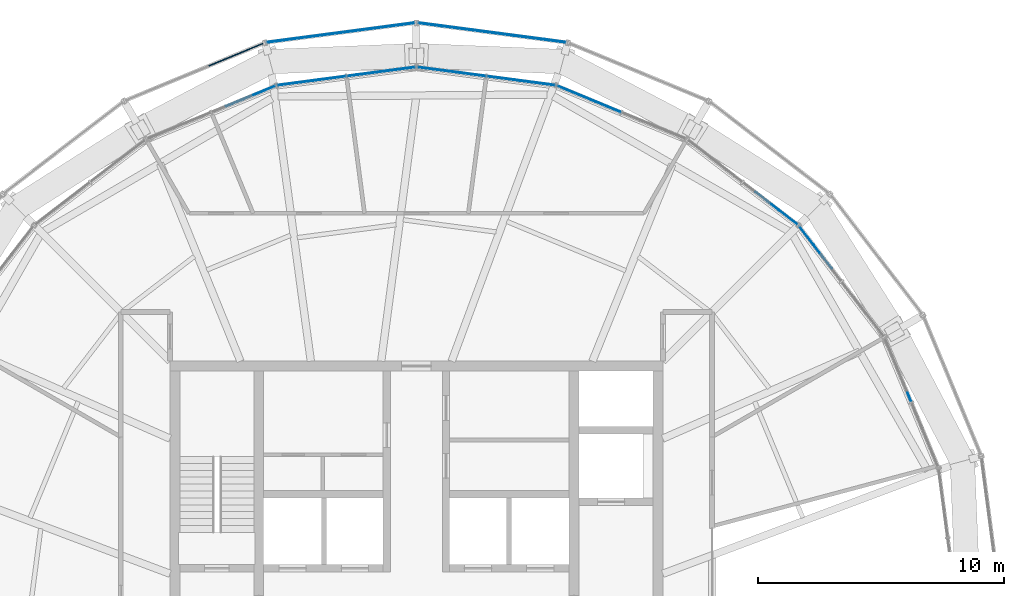
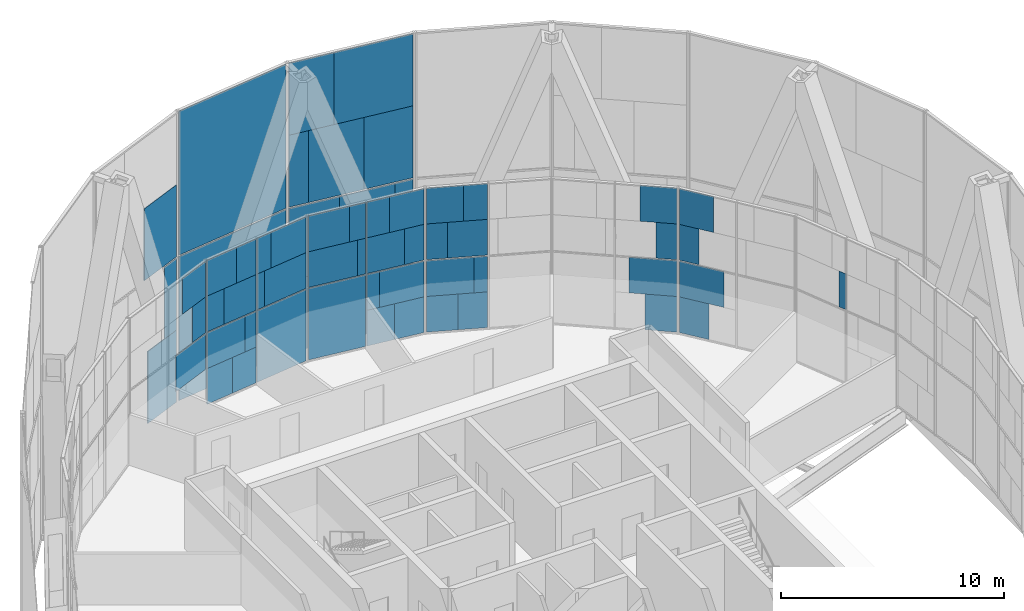
# One storey, part 17 of 22: 61 plates, 10 elements without a shape of their own.
"""IFC4 building model written with IfcOpenShell, lengths in metres."""

from ifc_helpers import new_model, si_unit, direction, frame, origin, origin_2d, place, context, subcontext, project, spatial, rectangle, extrude, material, layer, layer_set, type_object, element, aggregate, save


model = new_model("IFC4")

# Units and contexts
model_context = context("Model", 3, precision=1e-05, world=origin(), true_north=direction((0.0, 1.0)))
body_context = subcontext(model_context, "Body", "Model", "MODEL_VIEW")
ifc_project = project(units=[si_unit("LENGTHUNIT", "METRE"), si_unit("AREAUNIT", "SQUARE_METRE"), si_unit("VOLUMEUNIT", "CUBIC_METRE"), si_unit("PLANEANGLEUNIT", "RADIAN"), si_unit("MASSUNIT", "GRAM", prefix="KILO")], contexts=[model_context])

# Site, building, storey
site_placement = place(None, origin())
site = spatial("IfcSite", under=ifc_project, at=site_placement, CompositionType="ELEMENT")
building_placement = place(site_placement, origin())
building = spatial("IfcBuilding", under=site, at=building_placement, Name="Golbaran Civic Tower", CompositionType="ELEMENT")
storey_placement = place(building_placement, frame((0.0, 0.0, 264.0)))
storey = spatial("IfcBuildingStorey", under=building, at=storey_placement, Name="L64", CompositionType="ELEMENT", Elevation=264.0)

# Curtain wall, plates
ifc_material_1 = material(Name="Aluminium and glass", Category="aluminium")
curtain_wall_type_1 = type_object("IfcCurtainWallType", Name="INNER SKIN CURTAIN WALL EXECUTIVE", PredefinedType="NOTDEFINED", material=ifc_material_1)
curtain_wall_1_placement = place(storey_placement, origin())
curtain_wall_1 = element("IfcCurtainWall", 1, at=curtain_wall_1_placement, inside=storey, type_object=curtain_wall_type_1, Name="Inner skin L64 facet 3 CW2", ObjectType="INNER SKIN", PredefinedType="USERDEFINED")
ifc_material_2 = material(Name="Clear insulating glass", Category="glass")
ifc_layer_1 = layer(ifc_material_2, 0.031982421875, Name="Clear insulating glass")
ifc_layer_set_1 = layer_set([ifc_layer_1], Name="Clear insulating glass")
plate_type_1 = type_object("IfcPlateType", Name="INNER SKIN CURTAIN WALL EXECUTIVE GLAZED PANEL", PredefinedType="CURTAIN_PANEL", material=ifc_layer_set_1)
plate_1_placement = place(storey_placement, frame((15.837890625, 15.090087890625, 4.030029296875), z_axis=(0.0, 0.0, 1.0), x_axis=(-0.608761429133, 0.793353340196, 0.0)))
plate_1 = element("IfcPlate", 2, at=plate_1_placement, type_object=plate_type_1, Name="CW2 panel 2.2 part 2", PredefinedType="CURTAIN_PANEL", context=body_context, shape_type="SweptSolid", body=[
    extrude(rectangle(XDim=0.946533203125, YDim=0.031982421875, at=origin_2d()), origin(), (0.0, 0.0, 1.0), 1.955078125),
])
plate_2_placement = place(storey_placement, frame((16.057861328125, 14.80322265625, 5.98486328125), z_axis=(0.0, 0.0, 1.0), x_axis=(-0.608761429133, 0.793353340196, 0.0)))
plate_2 = element("IfcPlate", 3, at=plate_2_placement, type_object=plate_type_1, Name="CW2 panel 2.2 part 4", PredefinedType="CURTAIN_PANEL", context=body_context, shape_type="SweptSolid", body=[
    extrude(rectangle(XDim=1.669677734375, YDim=0.031982421875, at=origin_2d()), origin(), (0.0, 0.0, 1.0), 1.955078125),
])

curtain_wall_2_placement = place(storey_placement, origin())
curtain_wall_2 = element("IfcCurtainWall", 4, at=curtain_wall_2_placement, inside=storey, type_object=curtain_wall_type_1, Name="Inner skin L64 facet 4 CW2", ObjectType="INNER SKIN", PredefinedType="USERDEFINED")
plate_3_placement = place(storey_placement, frame((15.09033203125, 15.837646484375, 4.030029296875), z_axis=(0.0, 0.0, 1.0), x_axis=(-0.793353340196, 0.608761429133, 0.0)))
plate_3 = element("IfcPlate", 5, at=plate_3_placement, type_object=plate_type_1, Name="CW2 panel 1.2 part 1", PredefinedType="CURTAIN_PANEL", context=body_context, shape_type="SweptSolid", body=[
    extrude(rectangle(XDim=0.946044921875, YDim=0.031982421875, at=origin_2d()), origin(), (0.0, 0.0, 1.0), 1.955078125),
])
plate_4_placement = place(storey_placement, frame((14.803466796875, 16.057861328125, 5.98486328125), z_axis=(0.0, 0.0, 1.0), x_axis=(-0.793353340196, 0.608761429133, 0.0)))
plate_4 = element("IfcPlate", 6, at=plate_4_placement, type_object=plate_type_1, Name="CW2 panel 1.2 part 3", PredefinedType="CURTAIN_PANEL", context=body_context, shape_type="SweptSolid", body=[
    extrude(rectangle(XDim=1.6689453125, YDim=0.031982421875, at=origin_2d()), origin(), (0.0, 0.0, 1.0), 1.955078125),
])

curtain_wall_3_placement = place(storey_placement, origin())
curtain_wall_3 = element("IfcCurtainWall", 7, at=curtain_wall_3_placement, inside=storey, type_object=curtain_wall_type_1, Name="Inner skin L64 facet 5 CW2", ObjectType="INNER SKIN", PredefinedType="USERDEFINED")
plate_5_placement = place(storey_placement, frame((7.67724609375, 20.363525390625, 0.06005859375), z_axis=(0.0, 0.0, 1.0), x_axis=(-0.923879532518, 0.382683432349, 0.0)))
plate_5 = element("IfcPlate", 8, at=plate_5_placement, type_object=plate_type_1, Name="CW2 panel 2.1 part 1", PredefinedType="CURTAIN_PANEL", context=body_context, shape_type="SweptSolid", body=[
    extrude(rectangle(XDim=1.340087890625, YDim=0.031982421875, at=origin_2d()), origin(), (0.0, 0.0, 1.0), 1.955078125),
])
plate_6_placement = place(storey_placement, frame((8.011474609375, 20.224853515625, 2.014892578125), z_axis=(0.0, 0.0, 1.0), x_axis=(-0.923879532518, 0.382683432349, 0.0)))
plate_6 = element("IfcPlate", 9, at=plate_6_placement, type_object=plate_type_1, Name="CW2 panel 2.1 part 3", PredefinedType="CURTAIN_PANEL", context=body_context, shape_type="SweptSolid", body=[
    extrude(rectangle(XDim=0.615966796875, YDim=0.031982421875, at=origin_2d()), origin(), (0.0, 0.0, 1.0), 1.955078125),
])
plate_7_placement = place(storey_placement, frame((6.1708984375, 20.9873046875, 4.030029296875), z_axis=(0.0, 0.0, 1.0), x_axis=(-0.923879532518, 0.382683432349, 0.0)))
plate_7 = element("IfcPlate", 10, at=plate_7_placement, type_object=plate_type_1, Name="CW2 panel 2.2 part 2", PredefinedType="CURTAIN_PANEL", context=body_context, shape_type="SweptSolid", body=[
    extrude(rectangle(XDim=0.946533203125, YDim=0.031982421875, at=origin_2d()), origin(), (0.0, 0.0, 1.0), 1.955078125),
])
plate_8_placement = place(storey_placement, frame((6.5048828125, 20.84912109375, 5.98486328125), z_axis=(0.0, 0.0, 1.0), x_axis=(-0.923879532518, 0.382683432349, 0.0)))
plate_8 = element("IfcPlate", 11, at=plate_8_placement, type_object=plate_type_1, Name="CW2 panel 2.2 part 4", PredefinedType="CURTAIN_PANEL", context=body_context, shape_type="SweptSolid", body=[
    extrude(rectangle(XDim=1.669677734375, YDim=0.031982421875, at=origin_2d()), origin(), (0.0, 0.0, 1.0), 1.955078125),
])

curtain_wall_4_placement = place(storey_placement, origin())
curtain_wall_4 = element("IfcCurtainWall", 12, at=curtain_wall_4_placement, inside=storey, type_object=curtain_wall_type_1, Name="Inner skin L64 facet 6 CW2", ObjectType="INNER SKIN", PredefinedType="USERDEFINED")
plate_9_placement = place(storey_placement, frame((3.532958984375, 21.473876953125, 0.06005859375), z_axis=(0.0, 0.0, 1.0), x_axis=(-0.991444861376, 0.130526192203, 0.0)))
plate_9 = element("IfcPlate", 13, at=plate_9_placement, type_object=plate_type_1, Name="CW2 panel 1.1 part 2", PredefinedType="CURTAIN_PANEL", context=body_context, shape_type="SweptSolid", body=[
    extrude(rectangle(XDim=1.339599609375, YDim=0.031982421875, at=origin_2d()), origin(), (0.0, 0.0, 1.0), 1.955078125),
])
plate_10_placement = place(storey_placement, frame((3.174560546875, 21.52099609375, 2.014892578125), z_axis=(0.0, 0.0, 1.0), x_axis=(-0.991444861376, 0.130526192203, 0.0)))
plate_10 = element("IfcPlate", 14, at=plate_10_placement, type_object=plate_type_1, Name="CW2 panel 1.1 part 4", PredefinedType="CURTAIN_PANEL", context=body_context, shape_type="SweptSolid", body=[
    extrude(rectangle(XDim=0.61669921875, YDim=0.031982421875, at=origin_2d()), origin(), (0.0, 0.0, 1.0), 1.955078125),
])
plate_11_placement = place(storey_placement, frame((5.14990234375, 21.260986328125, 4.030029296875), z_axis=(0.0, 0.0, 1.0), x_axis=(-0.991444861376, 0.130526192203, 0.0)))
plate_11 = element("IfcPlate", 15, at=plate_11_placement, type_object=plate_type_1, Name="CW2 panel 1.2 part 1", PredefinedType="CURTAIN_PANEL", context=body_context, shape_type="SweptSolid", body=[
    extrude(rectangle(XDim=0.946044921875, YDim=0.031982421875, at=origin_2d()), origin(), (0.0, 0.0, 1.0), 1.955078125),
])
plate_12_placement = place(storey_placement, frame((4.79150390625, 21.30810546875, 5.98486328125), z_axis=(0.0, 0.0, 1.0), x_axis=(-0.991444861376, 0.130526192203, 0.0)))
plate_12 = element("IfcPlate", 16, at=plate_12_placement, type_object=plate_type_1, Name="CW2 panel 1.2 part 3", PredefinedType="CURTAIN_PANEL", context=body_context, shape_type="SweptSolid", body=[
    extrude(rectangle(XDim=1.6689453125, YDim=0.031982421875, at=origin_2d()), origin(), (0.0, 0.0, 1.0), 1.955078125),
])
plate_13_placement = place(storey_placement, frame((1.434326171875, 21.750244140625, 0.06005859375), z_axis=(0.0, 0.0, 1.0), x_axis=(-0.991444861376, 0.130526192203, 0.0)))
plate_13 = element("IfcPlate", 17, at=plate_13_placement, type_object=plate_type_1, Name="CW2 panel 2.1", PredefinedType="CURTAIN_PANEL", context=body_context, shape_type="SweptSolid", body=[
    extrude(rectangle(XDim=2.773681640625, YDim=0.031982421875, at=origin_2d()), origin(), (0.0, 0.0, 1.0), 3.909912109375),
])
plate_14_placement = place(storey_placement, frame((1.235595703125, 21.7763671875, 4.030029296875), z_axis=(0.0, 0.0, 1.0), x_axis=(-0.991444861376, 0.130526192203, 0.0)))
plate_14 = element("IfcPlate", 18, at=plate_14_placement, type_object=plate_type_1, Name="CW2 panel 2.2 part 2", PredefinedType="CURTAIN_PANEL", context=body_context, shape_type="SweptSolid", body=[
    extrude(rectangle(XDim=2.37255859375, YDim=0.031982421875, at=origin_2d()), origin(), (0.0, 0.0, 1.0), 1.955078125),
])
plate_15_placement = place(storey_placement, frame((1.041748046875, 21.8017578125, 5.98486328125), z_axis=(0.0, 0.0, 1.0), x_axis=(-0.991444861376, 0.130526192203, 0.0)))
plate_15 = element("IfcPlate", 19, at=plate_15_placement, type_object=plate_type_1, Name="CW2 panel 2.2 part 4", PredefinedType="CURTAIN_PANEL", context=body_context, shape_type="SweptSolid", body=[
    extrude(rectangle(XDim=1.981689453125, YDim=0.031982421875, at=origin_2d()), origin(), (0.0, 0.0, 1.0), 1.955078125),
])

curtain_wall_5_placement = place(storey_placement, origin())
curtain_wall_5 = element("IfcCurtainWall", 20, at=curtain_wall_5_placement, inside=storey, type_object=curtain_wall_type_1, Name="Inner skin L64 facet 7 CW2", ObjectType="INNER SKIN", PredefinedType="USERDEFINED")
plate_16_placement = place(storey_placement, frame((-1.434326171875, 21.750244140625, 0.06005859375), z_axis=(0.0, 0.0, 1.0), x_axis=(-0.991444861376, -0.130526192203, 0.0)))
plate_16 = element("IfcPlate", 21, at=plate_16_placement, type_object=plate_type_1, Name="CW2 panel 1.1", PredefinedType="CURTAIN_PANEL", context=body_context, shape_type="SweptSolid", body=[
    extrude(rectangle(XDim=2.773681640625, YDim=0.031982421875, at=origin_2d()), origin(), (0.0, 0.0, 1.0), 3.909912109375),
])
plate_17_placement = place(storey_placement, frame((-1.2353515625, 21.7763671875, 4.030029296875), z_axis=(0.0, 0.0, 1.0), x_axis=(-0.991444861376, -0.130526192203, 0.0)))
plate_17 = element("IfcPlate", 22, at=plate_17_placement, type_object=plate_type_1, Name="CW2 panel 1.2 part 1", PredefinedType="CURTAIN_PANEL", context=body_context, shape_type="SweptSolid", body=[
    extrude(rectangle(XDim=2.3720703125, YDim=0.031982421875, at=origin_2d()), origin(), (0.0, 0.0, 1.0), 1.955078125),
])
plate_18_placement = place(storey_placement, frame((-1.0419921875, 21.8017578125, 5.98486328125), z_axis=(0.0, 0.0, 1.0), x_axis=(-0.991444861376, -0.130526192203, 0.0)))
plate_18 = element("IfcPlate", 23, at=plate_18_placement, type_object=plate_type_1, Name="CW2 panel 1.2 part 3", PredefinedType="CURTAIN_PANEL", context=body_context, shape_type="SweptSolid", body=[
    extrude(rectangle(XDim=1.98193359375, YDim=0.031982421875, at=origin_2d()), origin(), (0.0, 0.0, 1.0), 1.955078125),
])
plate_19_placement = place(storey_placement, frame((-3.533203125, 21.473876953125, 0.06005859375), z_axis=(0.0, 0.0, 1.0), x_axis=(-0.991444861376, -0.130526192203, 0.0)))
plate_19 = element("IfcPlate", 24, at=plate_19_placement, type_object=plate_type_1, Name="CW2 panel 2.1 part 1", PredefinedType="CURTAIN_PANEL", context=body_context, shape_type="SweptSolid", body=[
    extrude(rectangle(XDim=1.340087890625, YDim=0.031982421875, at=origin_2d()), origin(), (0.0, 0.0, 1.0), 1.955078125),
])
plate_20_placement = place(storey_placement, frame((-3.17431640625, 21.52099609375, 2.014892578125), z_axis=(0.0, 0.0, 1.0), x_axis=(-0.991444861376, -0.130526192203, 0.0)))
plate_20 = element("IfcPlate", 25, at=plate_20_placement, type_object=plate_type_1, Name="CW2 panel 2.1 part 3", PredefinedType="CURTAIN_PANEL", context=body_context, shape_type="SweptSolid", body=[
    extrude(rectangle(XDim=0.615966796875, YDim=0.031982421875, at=origin_2d()), origin(), (0.0, 0.0, 1.0), 1.955078125),
])
plate_21_placement = place(storey_placement, frame((-5.1494140625, 21.260986328125, 4.030029296875), z_axis=(0.0, 0.0, 1.0), x_axis=(-0.991444861376, -0.130526192203, 0.0)))
plate_21 = element("IfcPlate", 26, at=plate_21_placement, type_object=plate_type_1, Name="CW2 panel 2.2 part 2", PredefinedType="CURTAIN_PANEL", context=body_context, shape_type="SweptSolid", body=[
    extrude(rectangle(XDim=0.946533203125, YDim=0.031982421875, at=origin_2d()), origin(), (0.0, 0.0, 1.0), 1.955078125),
])
plate_22_placement = place(storey_placement, frame((-4.791015625, 21.308349609375, 5.98486328125), z_axis=(0.0, 0.0, 1.0), x_axis=(-0.991444861376, -0.130526192203, 0.0)))
plate_22 = element("IfcPlate", 27, at=plate_22_placement, type_object=plate_type_1, Name="CW2 panel 2.2 part 4", PredefinedType="CURTAIN_PANEL", context=body_context, shape_type="SweptSolid", body=[
    extrude(rectangle(XDim=1.669677734375, YDim=0.031982421875, at=origin_2d()), origin(), (0.0, 0.0, 1.0), 1.955078125),
])

curtain_wall_6_placement = place(storey_placement, origin())
curtain_wall_6 = element("IfcCurtainWall", 28, at=curtain_wall_6_placement, inside=storey, type_object=curtain_wall_type_1, Name="Inner skin L64 facet 8 CW2", ObjectType="INNER SKIN", PredefinedType="USERDEFINED")
plate_23_placement = place(storey_placement, frame((-6.170654296875, 20.987548828125, 4.030029296875), z_axis=(0.0, 0.0, 1.0), x_axis=(-0.923879532518, -0.382683432349, 0.0)))
plate_23 = element("IfcPlate", 29, at=plate_23_placement, type_object=plate_type_1, Name="CW2 panel 1.2 part 1", PredefinedType="CURTAIN_PANEL", context=body_context, shape_type="SweptSolid", body=[
    extrude(rectangle(XDim=0.946044921875, YDim=0.031982421875, at=origin_2d()), origin(), (0.0, 0.0, 1.0), 1.955078125),
])
plate_24_placement = place(storey_placement, frame((-6.504638671875, 20.84912109375, 5.98486328125), z_axis=(0.0, 0.0, 1.0), x_axis=(-0.923879532518, -0.382683432349, 0.0)))
plate_24 = element("IfcPlate", 30, at=plate_24_placement, type_object=plate_type_1, Name="CW2 panel 1.2 part 3", PredefinedType="CURTAIN_PANEL", context=body_context, shape_type="SweptSolid", body=[
    extrude(rectangle(XDim=1.6689453125, YDim=0.031982421875, at=origin_2d()), origin(), (0.0, 0.0, 1.0), 1.955078125),
])

# Curtain wall, plate
curtain_wall_7_placement = place(storey_placement, origin())
curtain_wall_7 = element("IfcCurtainWall", 31, at=curtain_wall_7_placement, inside=storey, type_object=curtain_wall_type_1, Name="Inner skin L64 facet 2 CW2", ObjectType="INNER SKIN", PredefinedType="USERDEFINED")
ifc_material_3 = material(Name="Aluminium faced opaque infill panel", Category="aluminium")
ifc_layer_2 = layer(ifc_material_3, 0.031982421875, Name="Aluminium faced opaque infill panel")
ifc_layer_set_2 = layer_set([ifc_layer_2], Name="Aluminium faced opaque infill panel")
plate_type_2 = type_object("IfcPlateType", Name="INNER SKIN CURTAIN WALL EXECUTIVE OPAQUE INFILL PANEL", PredefinedType="CURTAIN_PANEL", material=ifc_layer_set_2)
plate_25_placement = place(storey_placement, frame((20.00732421875, 8.536865234375, 4.030029296875), z_axis=(0.0, 0.0, 1.0), x_axis=(-0.382683432349, 0.923879532518, 0.0)))
plate_25 = element("IfcPlate", 32, at=plate_25_placement, type_object=plate_type_2, Name="CW2 infill panel 2.2 part 1", PredefinedType="CURTAIN_PANEL", context=body_context, shape_type="SweptSolid", body=[
    extrude(rectangle(XDim=0.40087890625, YDim=0.031982421875, at=origin_2d()), origin(), (0.0, 0.0, 1.0), 1.955078125),
])
aggregate(curtain_wall_7, [plate_25])

# Plate
plate_26_placement = place(storey_placement, frame((15.986083984375, 14.89697265625, 0.06005859375), z_axis=(0.0, 0.0, 1.0), x_axis=(-0.608761429133, 0.793353340196, 0.0)))
plate_26 = element("IfcPlate", 33, at=plate_26_placement, type_object=plate_type_2, Name="CW2 infill panel 2.1 part 2", PredefinedType="CURTAIN_PANEL", context=body_context, shape_type="SweptSolid", body=[
    extrude(rectangle(XDim=1.43359375, YDim=0.031982421875, at=origin_2d()), origin(), (0.0, 0.0, 1.0), 1.955078125),
])

plate_27_placement = place(storey_placement, frame((16.20654296875, 14.609619140625, 2.014892578125), z_axis=(0.0, 0.0, 1.0), x_axis=(-0.608761429133, 0.793353340196, 0.0)))
plate_27 = element("IfcPlate", 34, at=plate_27_placement, type_object=plate_type_2, Name="CW2 infill panel 2.1 part 4", PredefinedType="CURTAIN_PANEL", context=body_context, shape_type="SweptSolid", body=[
    extrude(rectangle(XDim=2.15771484375, YDim=0.031982421875, at=origin_2d()), origin(), (0.0, 0.0, 1.0), 1.955078125),
])

aggregate(curtain_wall_1, [plate_26, plate_27, plate_1, plate_2])

plate_28_placement = place(storey_placement, frame((14.896728515625, 15.986328125, 0.06005859375), z_axis=(0.0, 0.0, 1.0), x_axis=(-0.793353340196, 0.608761429133, 0.0)))
plate_28 = element("IfcPlate", 35, at=plate_28_placement, type_object=plate_type_2, Name="CW2 infill panel 1.1 part 1", PredefinedType="CURTAIN_PANEL", context=body_context, shape_type="SweptSolid", body=[
    extrude(rectangle(XDim=1.43408203125, YDim=0.031982421875, at=origin_2d()), origin(), (0.0, 0.0, 1.0), 1.955078125),
])

plate_29_placement = place(storey_placement, frame((14.60986328125, 16.206298828125, 2.014892578125), z_axis=(0.0, 0.0, 1.0), x_axis=(-0.793353340196, 0.608761429133, 0.0)))
plate_29 = element("IfcPlate", 36, at=plate_29_placement, type_object=plate_type_2, Name="CW2 infill panel 1.1 part 3", PredefinedType="CURTAIN_PANEL", context=body_context, shape_type="SweptSolid", body=[
    extrude(rectangle(XDim=2.156982421875, YDim=0.031982421875, at=origin_2d()), origin(), (0.0, 0.0, 1.0), 1.955078125),
])

aggregate(curtain_wall_2, [plate_28, plate_29, plate_3, plate_4])

plate_30_placement = place(storey_placement, frame((6.39599609375, 20.894287109375, 0.06005859375), z_axis=(0.0, 0.0, 1.0), x_axis=(-0.923879532518, 0.382683432349, 0.0)))
plate_30 = element("IfcPlate", 37, at=plate_30_placement, type_object=plate_type_2, Name="CW2 infill panel 2.1 part 2", PredefinedType="CURTAIN_PANEL", context=body_context, shape_type="SweptSolid", body=[
    extrude(rectangle(XDim=1.43359375, YDim=0.031982421875, at=origin_2d()), origin(), (0.0, 0.0, 1.0), 1.955078125),
])

plate_31_placement = place(storey_placement, frame((6.73046875, 20.755615234375, 2.014892578125), z_axis=(0.0, 0.0, 1.0), x_axis=(-0.923879532518, 0.382683432349, 0.0)))
plate_31 = element("IfcPlate", 38, at=plate_31_placement, type_object=plate_type_2, Name="CW2 infill panel 2.1 part 4", PredefinedType="CURTAIN_PANEL", context=body_context, shape_type="SweptSolid", body=[
    extrude(rectangle(XDim=2.15771484375, YDim=0.031982421875, at=origin_2d()), origin(), (0.0, 0.0, 1.0), 1.955078125),
])

plate_32_placement = place(storey_placement, frame((7.4521484375, 20.45654296875, 4.030029296875), z_axis=(0.0, 0.0, 1.0), x_axis=(-0.923879532518, 0.382683432349, 0.0)))
plate_32 = element("IfcPlate", 39, at=plate_32_placement, type_object=plate_type_2, Name="CW2 infill panel 2.2 part 1", PredefinedType="CURTAIN_PANEL", context=body_context, shape_type="SweptSolid", body=[
    extrude(rectangle(XDim=1.826904296875, YDim=0.031982421875, at=origin_2d()), origin(), (0.0, 0.0, 1.0), 1.955078125),
])

plate_33_placement = place(storey_placement, frame((7.7861328125, 20.318359375, 5.98486328125), z_axis=(0.0, 0.0, 1.0), x_axis=(-0.923879532518, 0.382683432349, 0.0)))
plate_33 = element("IfcPlate", 40, at=plate_33_placement, type_object=plate_type_2, Name="CW2 infill panel 2.2 part 3", PredefinedType="CURTAIN_PANEL", context=body_context, shape_type="SweptSolid", body=[
    extrude(rectangle(XDim=1.10400390625, YDim=0.031982421875, at=origin_2d()), origin(), (0.0, 0.0, 1.0), 1.955078125),
])

aggregate(curtain_wall_3, [plate_5, plate_30, plate_6, plate_31, plate_32, plate_7, plate_33, plate_8])

plate_34_placement = place(storey_placement, frame((4.907958984375, 21.29296875, 0.06005859375), z_axis=(0.0, 0.0, 1.0), x_axis=(-0.991444861376, 0.130526192203, 0.0)))
plate_34 = element("IfcPlate", 41, at=plate_34_placement, type_object=plate_type_2, Name="CW2 infill panel 1.1 part 1", PredefinedType="CURTAIN_PANEL", context=body_context, shape_type="SweptSolid", body=[
    extrude(rectangle(XDim=1.43408203125, YDim=0.031982421875, at=origin_2d()), origin(), (0.0, 0.0, 1.0), 1.955078125),
])

plate_35_placement = place(storey_placement, frame((4.549560546875, 21.340087890625, 2.014892578125), z_axis=(0.0, 0.0, 1.0), x_axis=(-0.991444861376, 0.130526192203, 0.0)))
plate_35 = element("IfcPlate", 42, at=plate_35_placement, type_object=plate_type_2, Name="CW2 infill panel 1.1 part 3", PredefinedType="CURTAIN_PANEL", context=body_context, shape_type="SweptSolid", body=[
    extrude(rectangle(XDim=2.156982421875, YDim=0.031982421875, at=origin_2d()), origin(), (0.0, 0.0, 1.0), 1.955078125),
])

plate_36_placement = place(storey_placement, frame((3.77490234375, 21.442138671875, 4.030029296875), z_axis=(0.0, 0.0, 1.0), x_axis=(-0.991444861376, 0.130526192203, 0.0)))
plate_36 = element("IfcPlate", 43, at=plate_36_placement, type_object=plate_type_2, Name="CW2 infill panel 1.2 part 2", PredefinedType="CURTAIN_PANEL", context=body_context, shape_type="SweptSolid", body=[
    extrude(rectangle(XDim=1.82763671875, YDim=0.031982421875, at=origin_2d()), origin(), (0.0, 0.0, 1.0), 1.955078125),
])

plate_37_placement = place(storey_placement, frame((3.41650390625, 21.4892578125, 5.98486328125), z_axis=(0.0, 0.0, 1.0), x_axis=(-0.991444861376, 0.130526192203, 0.0)))
plate_37 = element("IfcPlate", 44, at=plate_37_placement, type_object=plate_type_2, Name="CW2 infill panel 1.2 part 4", PredefinedType="CURTAIN_PANEL", context=body_context, shape_type="SweptSolid", body=[
    extrude(rectangle(XDim=1.1044921875, YDim=0.031982421875, at=origin_2d()), origin(), (0.0, 0.0, 1.0), 1.955078125),
])

plate_38_placement = place(storey_placement, frame((2.610595703125, 21.59521484375, 4.030029296875), z_axis=(0.0, 0.0, 1.0), x_axis=(-0.991444861376, 0.130526192203, 0.0)))
plate_38 = element("IfcPlate", 45, at=plate_38_placement, type_object=plate_type_2, Name="CW2 infill panel 2.2 part 1", PredefinedType="CURTAIN_PANEL", context=body_context, shape_type="SweptSolid", body=[
    extrude(rectangle(XDim=0.40087890625, YDim=0.031982421875, at=origin_2d()), origin(), (0.0, 0.0, 1.0), 1.955078125),
])

plate_39_placement = place(storey_placement, frame((2.416748046875, 21.620849609375, 5.98486328125), z_axis=(0.0, 0.0, 1.0), x_axis=(-0.991444861376, 0.130526192203, 0.0)))
plate_39 = element("IfcPlate", 46, at=plate_39_placement, type_object=plate_type_2, Name="CW2 infill panel 2.2 part 3", PredefinedType="CURTAIN_PANEL", context=body_context, shape_type="SweptSolid", body=[
    extrude(rectangle(XDim=0.7919921875, YDim=0.031982421875, at=origin_2d()), origin(), (0.0, 0.0, 1.0), 1.955078125),
])

aggregate(curtain_wall_4, [plate_34, plate_9, plate_35, plate_10, plate_11, plate_36, plate_12, plate_37, plate_13, plate_38, plate_14, plate_39, plate_15])

plate_40_placement = place(storey_placement, frame((-2.6103515625, 21.595458984375, 4.030029296875), z_axis=(0.0, 0.0, 1.0), x_axis=(-0.991444861376, -0.130526192203, 0.0)))
plate_40 = element("IfcPlate", 47, at=plate_40_placement, type_object=plate_type_2, Name="CW2 infill panel 1.2 part 2", PredefinedType="CURTAIN_PANEL", context=body_context, shape_type="SweptSolid", body=[
    extrude(rectangle(XDim=0.401611328125, YDim=0.031982421875, at=origin_2d()), origin(), (0.0, 0.0, 1.0), 1.955078125),
])

plate_41_placement = place(storey_placement, frame((-2.4169921875, 21.620849609375, 5.98486328125), z_axis=(0.0, 0.0, 1.0), x_axis=(-0.991444861376, -0.130526192203, 0.0)))
plate_41 = element("IfcPlate", 48, at=plate_41_placement, type_object=plate_type_2, Name="CW2 infill panel 1.2 part 4", PredefinedType="CURTAIN_PANEL", context=body_context, shape_type="SweptSolid", body=[
    extrude(rectangle(XDim=0.79150390625, YDim=0.031982421875, at=origin_2d()), origin(), (0.0, 0.0, 1.0), 1.955078125),
])

plate_42_placement = place(storey_placement, frame((-4.907958984375, 21.292724609375, 0.06005859375), z_axis=(0.0, 0.0, 1.0), x_axis=(-0.991444861376, -0.130526192203, 0.0)))
plate_42 = element("IfcPlate", 49, at=plate_42_placement, type_object=plate_type_2, Name="CW2 infill panel 2.1 part 2", PredefinedType="CURTAIN_PANEL", context=body_context, shape_type="SweptSolid", body=[
    extrude(rectangle(XDim=1.43359375, YDim=0.031982421875, at=origin_2d()), origin(), (0.0, 0.0, 1.0), 1.955078125),
])

plate_43_placement = place(storey_placement, frame((-4.549072265625, 21.340087890625, 2.014892578125), z_axis=(0.0, 0.0, 1.0), x_axis=(-0.991444861376, -0.130526192203, 0.0)))
plate_43 = element("IfcPlate", 50, at=plate_43_placement, type_object=plate_type_2, Name="CW2 infill panel 2.1 part 4", PredefinedType="CURTAIN_PANEL", context=body_context, shape_type="SweptSolid", body=[
    extrude(rectangle(XDim=2.15771484375, YDim=0.031982421875, at=origin_2d()), origin(), (0.0, 0.0, 1.0), 1.955078125),
])

plate_44_placement = place(storey_placement, frame((-3.774658203125, 21.442138671875, 4.030029296875), z_axis=(0.0, 0.0, 1.0), x_axis=(-0.991444861376, -0.130526192203, 0.0)))
plate_44 = element("IfcPlate", 51, at=plate_44_placement, type_object=plate_type_2, Name="CW2 infill panel 2.2 part 1", PredefinedType="CURTAIN_PANEL", context=body_context, shape_type="SweptSolid", body=[
    extrude(rectangle(XDim=1.826904296875, YDim=0.031982421875, at=origin_2d()), origin(), (0.0, 0.0, 1.0), 1.955078125),
])

plate_45_placement = place(storey_placement, frame((-3.416015625, 21.4892578125, 5.98486328125), z_axis=(0.0, 0.0, 1.0), x_axis=(-0.991444861376, -0.130526192203, 0.0)))
plate_45 = element("IfcPlate", 52, at=plate_45_placement, type_object=plate_type_2, Name="CW2 infill panel 2.2 part 3", PredefinedType="CURTAIN_PANEL", context=body_context, shape_type="SweptSolid", body=[
    extrude(rectangle(XDim=1.10400390625, YDim=0.031982421875, at=origin_2d()), origin(), (0.0, 0.0, 1.0), 1.955078125),
])

aggregate(curtain_wall_5, [plate_16, plate_17, plate_40, plate_18, plate_41, plate_19, plate_42, plate_20, plate_43, plate_44, plate_21, plate_45, plate_22])

plate_46_placement = place(storey_placement, frame((-6.72998046875, 20.755859375, 2.014892578125), z_axis=(0.0, 0.0, 1.0), x_axis=(-0.923879532518, -0.382683432349, 0.0)))
plate_46 = element("IfcPlate", 53, at=plate_46_placement, type_object=plate_type_2, Name="CW2 infill panel 1.1 part 3", PredefinedType="CURTAIN_PANEL", context=body_context, shape_type="SweptSolid", body=[
    extrude(rectangle(XDim=2.156982421875, YDim=0.031982421875, at=origin_2d()), origin(), (0.0, 0.0, 1.0), 1.955078125),
])

aggregate(curtain_wall_6, [plate_46, plate_23, plate_24])

# Curtain wall, plates
curtain_wall_type_2 = type_object("IfcCurtainWallType", Name="OUTER SKIN TERRACOTTA SCREEN", PredefinedType="NOTDEFINED", material=ifc_material_1)
curtain_wall_8_placement = place(storey_placement, origin())
curtain_wall_8 = element("IfcCurtainWall", 54, at=curtain_wall_8_placement, inside=storey, type_object=curtain_wall_type_2, Name="Outer skin L64 facet 6 CW3", ObjectType="OUTER SKIN", PredefinedType="USERDEFINED")
ifc_material_4 = material(Name="Clear laminated glass", Category="glass")
ifc_layer_3 = layer(ifc_material_4, 0.0400390625, Name="Clear laminated glass")
ifc_layer_set_3 = layer_set([ifc_layer_3], Name="Clear laminated glass")
plate_type_3 = type_object("IfcPlateType", Name="OUTER SKIN CLEAR GLASS PANEL", PredefinedType="CURTAIN_PANEL", material=ifc_layer_set_3)
plate_47_placement = place(storey_placement, frame((2.01708984375, 23.472412109375, -0.6298828125), z_axis=(0.0, 0.0, 1.0), x_axis=(-0.991444861365, 0.130526192289, 0.0)))
plate_47 = element("IfcPlate", 55, at=plate_47_placement, type_object=plate_type_3, Name="CW3 panel 1.1 part 2", PredefinedType="CURTAIN_PANEL", context=body_context, shape_type="SweptSolid", body=[
    extrude(rectangle(XDim=3.908935546875, YDim=0.0400390625, at=origin_2d()), origin(), (0.0, 0.0, 1.0), 3.93994140625),
])
plate_48_placement = place(storey_placement, frame((5.620849609375, 22.998046875, 3.31005859375), z_axis=(0.0, 0.0, 1.0), x_axis=(-0.991444861365, 0.130526192289, 0.0)))
plate_48 = element("IfcPlate", 56, at=plate_48_placement, type_object=plate_type_3, Name="CW3 panel 1.1 part 3", PredefinedType="CURTAIN_PANEL", context=body_context, shape_type="SweptSolid", body=[
    extrude(rectangle(XDim=0.89501953125, YDim=0.0400390625, at=origin_2d()), origin(), (0.0, 0.0, 1.0), 3.93994140625),
])
plate_49_placement = place(storey_placement, frame((1.294677734375, 23.567626953125, 3.31005859375), z_axis=(0.0, 0.0, 1.0), x_axis=(-0.991444861365, 0.130526192289, 0.0)))
plate_49 = element("IfcPlate", 57, at=plate_49_placement, type_object=plate_type_3, Name="CW3 panel 1.1 part 5", PredefinedType="CURTAIN_PANEL", context=body_context, shape_type="SweptSolid", body=[
    extrude(rectangle(XDim=2.451904296875, YDim=0.0400390625, at=origin_2d()), origin(), (0.0, 0.0, 1.0), 3.93994140625),
])
plate_50_placement = place(storey_placement, frame((4.88330078125, 23.09521484375, 7.330078125), z_axis=(0.0, 0.0, 1.0), x_axis=(-0.991444861365, 0.130526192289, 0.0)))
plate_50 = element("IfcPlate", 58, at=plate_50_placement, type_object=plate_type_3, Name="CW3 panel 1.2 part 1", PredefinedType="CURTAIN_PANEL", context=body_context, shape_type="SweptSolid", body=[
    extrude(rectangle(XDim=2.383056640625, YDim=0.0400390625, at=origin_2d()), origin(), (0.0, 0.0, 1.0), 3.93994140625),
])
plate_51_placement = place(storey_placement, frame((0.5576171875, 23.66455078125, 7.330078125), z_axis=(0.0, 0.0, 1.0), x_axis=(-0.991444861365, 0.130526192289, 0.0)))
plate_51 = element("IfcPlate", 59, at=plate_51_placement, type_object=plate_type_3, Name="CW3 panel 1.2 part 3", PredefinedType="CURTAIN_PANEL", context=body_context, shape_type="SweptSolid", body=[
    extrude(rectangle(XDim=0.96484375, YDim=0.0400390625, at=origin_2d()), origin(), (0.0, 0.0, 1.0), 3.93994140625),
])
plate_52_placement = place(storey_placement, frame((4.155029296875, 23.19091796875, 11.27001953125), z_axis=(0.0, 0.0, 1.0), x_axis=(-0.991444861365, 0.130526192289, 0.0)))
plate_52 = element("IfcPlate", 60, at=plate_52_placement, type_object=plate_type_3, Name="CW3 panel 1.2 part 4", PredefinedType="CURTAIN_PANEL", context=body_context, shape_type="SweptSolid", body=[
    extrude(rectangle(XDim=3.85205078125, YDim=0.0400390625, at=origin_2d()), origin(), (0.0, 0.0, 1.0), 3.93994140625),
])

curtain_wall_9_placement = place(storey_placement, origin())
curtain_wall_9 = element("IfcCurtainWall", 61, at=curtain_wall_9_placement, inside=storey, type_object=curtain_wall_type_2, Name="Outer skin L64 facet 8 CW3", ObjectType="OUTER SKIN", PredefinedType="USERDEFINED")
plate_53_placement = place(storey_placement, frame((-6.631103515625, 22.727294921875, 3.31005859375), z_axis=(0.0, 0.0, 1.0), x_axis=(-0.923879532525, -0.382683432333, 0.0)))
plate_53 = element("IfcPlate", 62, at=plate_53_placement, type_object=plate_type_3, Name="CW3 panel 1.1 part 3", PredefinedType="CURTAIN_PANEL", context=body_context, shape_type="SweptSolid", body=[
    extrude(rectangle(XDim=0.89501953125, YDim=0.0400390625, at=origin_2d()), origin(), (0.0, 0.0, 1.0), 3.93994140625),
])
plate_54_placement = place(storey_placement, frame((-7.318603515625, 22.442626953125, 7.330078125), z_axis=(0.0, 0.0, 1.0), x_axis=(-0.923879532525, -0.382683432333, 0.0)))
plate_54 = element("IfcPlate", 63, at=plate_54_placement, type_object=plate_type_3, Name="CW3 panel 1.2 part 1", PredefinedType="CURTAIN_PANEL", context=body_context, shape_type="SweptSolid", body=[
    extrude(rectangle(XDim=2.383056640625, YDim=0.0400390625, at=origin_2d()), origin(), (0.0, 0.0, 1.0), 3.93994140625),
])

# Plate
ifc_material_5 = material(Name="Terracotta baguette screen", Category="masonry")
ifc_layer_4 = layer(ifc_material_5, 0.0400390625, Name="Terracotta baguette screen")
ifc_layer_set_4 = layer_set([ifc_layer_4], Name="Terracotta baguette screen")
plate_type_4 = type_object("IfcPlateType", Name="OUTER SKIN TERRACOTTA INFILL PANEL", PredefinedType="CURTAIN_PANEL", material=ifc_layer_set_4)
plate_55_placement = place(storey_placement, frame((5.009521484375, 23.078369140625, -0.6298828125), z_axis=(0.0, 0.0, 1.0), x_axis=(-0.991444861365, 0.130526192289, 0.0)))
plate_55 = element("IfcPlate", 64, at=plate_55_placement, type_object=plate_type_4, Name="CW3 infill panel 1.1 part 1", PredefinedType="CURTAIN_PANEL", context=body_context, shape_type="SweptSolid", body=[
    extrude(rectangle(XDim=2.1279296875, YDim=0.0400390625, at=origin_2d()), origin(), (0.0, 0.0, 1.0), 3.93994140625),
])

plate_56_placement = place(storey_placement, frame((3.84375, 23.23193359375, 3.31005859375), z_axis=(0.0, 0.0, 1.0), x_axis=(-0.991444861365, 0.130526192289, 0.0)))
plate_56 = element("IfcPlate", 65, at=plate_56_placement, type_object=plate_type_4, Name="CW3 infill panel 1.1 part 4", PredefinedType="CURTAIN_PANEL", context=body_context, shape_type="SweptSolid", body=[
    extrude(rectangle(XDim=2.68994140625, YDim=0.0400390625, at=origin_2d()), origin(), (0.0, 0.0, 1.0), 3.93994140625),
])

plate_57_placement = place(storey_placement, frame((2.368896484375, 23.426025390625, 7.330078125), z_axis=(0.0, 0.0, 1.0), x_axis=(-0.991444861365, 0.130526192289, 0.0)))
plate_57 = element("IfcPlate", 66, at=plate_57_placement, type_object=plate_type_4, Name="CW3 infill panel 1.2 part 2", PredefinedType="CURTAIN_PANEL", context=body_context, shape_type="SweptSolid", body=[
    extrude(rectangle(XDim=2.68896484375, YDim=0.0400390625, at=origin_2d()), origin(), (0.0, 0.0, 1.0), 3.93994140625),
])

plate_58_placement = place(storey_placement, frame((1.162353515625, 23.5849609375, 11.27001953125), z_axis=(0.0, 0.0, 1.0), x_axis=(-0.991444861365, 0.130526192289, 0.0)))
plate_58 = element("IfcPlate", 67, at=plate_58_placement, type_object=plate_type_4, Name="CW3 infill panel 1.2 part 5", PredefinedType="CURTAIN_PANEL", context=body_context, shape_type="SweptSolid", body=[
    extrude(rectangle(XDim=2.184814453125, YDim=0.0400390625, at=origin_2d()), origin(), (0.0, 0.0, 1.0), 3.93994140625),
])

aggregate(curtain_wall_8, [plate_55, plate_47, plate_48, plate_56, plate_49, plate_50, plate_57, plate_51, plate_52, plate_58])

plate_59_placement = place(storey_placement, frame((-7.20068359375, 22.491455078125, -0.6298828125), z_axis=(0.0, 0.0, 1.0), x_axis=(-0.923879532525, -0.382683432333, 0.0)))
plate_59 = element("IfcPlate", 68, at=plate_59_placement, type_object=plate_type_4, Name="CW3 infill panel 1.1 part 1", PredefinedType="CURTAIN_PANEL", context=body_context, shape_type="SweptSolid", body=[
    extrude(rectangle(XDim=2.1279296875, YDim=0.0400390625, at=origin_2d()), origin(), (0.0, 0.0, 1.0), 3.93994140625),
])

aggregate(curtain_wall_9, [plate_59, plate_53, plate_54])

# Curtain wall, plates
curtain_wall_10_placement = place(storey_placement, origin())
curtain_wall_10 = element("IfcCurtainWall", 69, at=curtain_wall_10_placement, inside=storey, type_object=curtain_wall_type_2, Name="Outer skin L64 facet 7 CW3", ObjectType="OUTER SKIN", PredefinedType="USERDEFINED")
ifc_layer_5 = layer(ifc_material_5, 0.0400390625, Name="Terracotta baguette screen")
ifc_layer_set_5 = layer_set([ifc_layer_5], Name="Terracotta baguette screen")
plate_type_5 = type_object("IfcPlateType", Name="OUTER SKIN TERRACOTTA SCREEN PANEL", PredefinedType="CURTAIN_PANEL", material=ifc_layer_set_5)
plate_60_placement = place(storey_placement, frame((-3.072021484375, 23.33349609375, -0.6298828125), z_axis=(0.0, 0.0, 1.0), x_axis=(-0.991444861365, -0.130526192289, 0.0)))
plate_60 = element("IfcPlate", 70, at=plate_60_placement, type_object=plate_type_5, Name="CW3 terracotta screen panel 1.1", PredefinedType="CURTAIN_PANEL", context=body_context, shape_type="SweptSolid", body=[
    extrude(rectangle(XDim=6.036865234375, YDim=0.0400390625, at=origin_2d()), origin(), (0.0, 0.0, 1.0), 7.8798828125),
])
plate_61_placement = place(storey_placement, frame((-3.072021484375, 23.33349609375, 7.330078125), z_axis=(0.0, 0.0, 1.0), x_axis=(-0.991444861365, -0.130526192289, 0.0)))
plate_61 = element("IfcPlate", 71, at=plate_61_placement, type_object=plate_type_5, Name="CW3 terracotta screen panel 1.2", PredefinedType="CURTAIN_PANEL", context=body_context, shape_type="SweptSolid", body=[
    extrude(rectangle(XDim=6.036865234375, YDim=0.0400390625, at=origin_2d()), origin(), (0.0, 0.0, 1.0), 7.8798828125),
])
aggregate(curtain_wall_10, [plate_60, plate_61])

save(model, "model.ifc")
